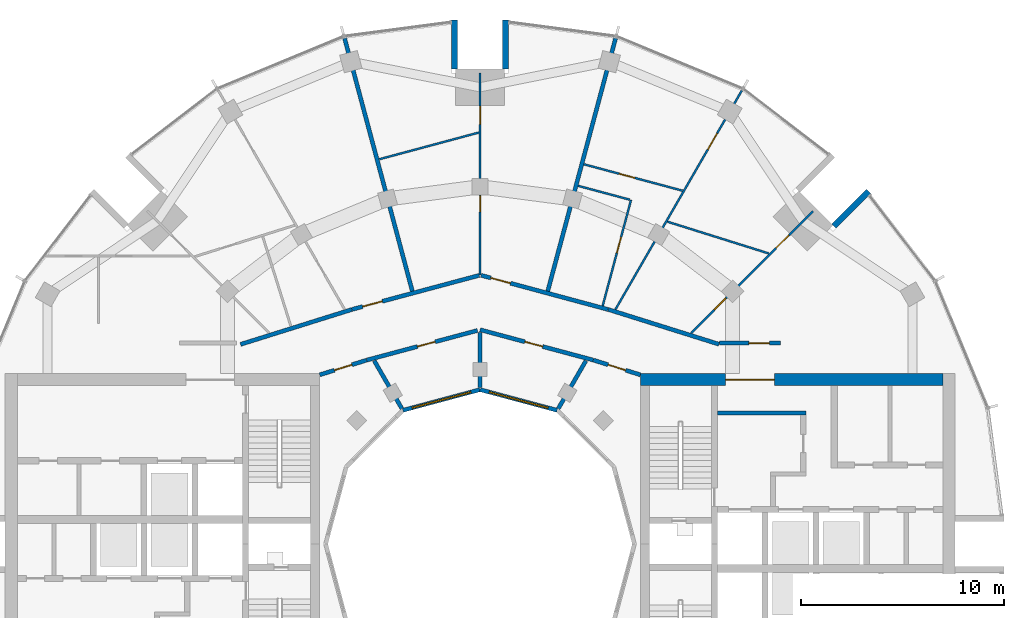
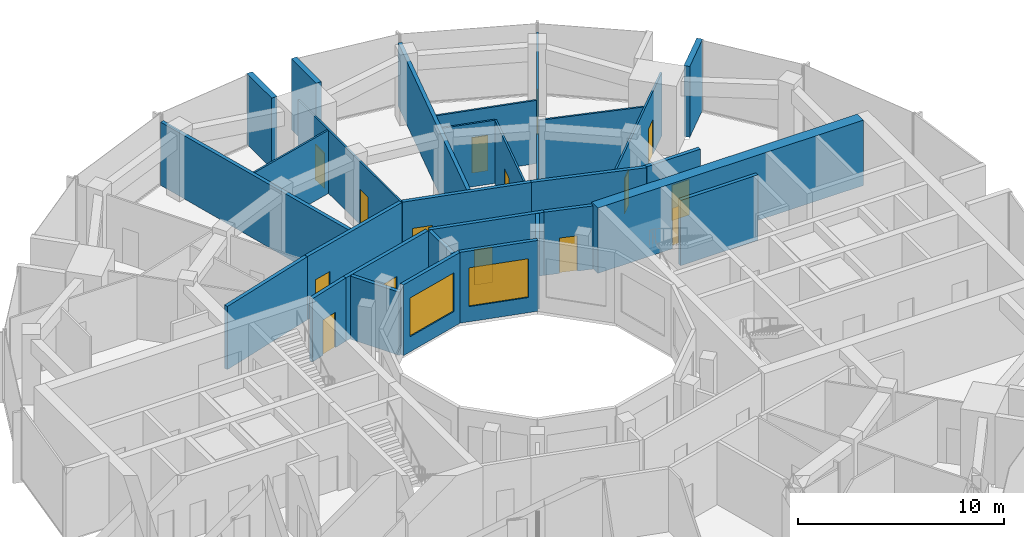
# One storey, part 12 of 15: 29 walls, 15 doors, 2 windows, 17 openings.
"""IFC4 building model written with IfcOpenShell, lengths in metres."""

from ifc_helpers import new_model, si_unit, direction, frame, frame_2d, origin, place, context, subcontext, project, spatial, rectangle, extrude, material, layer, layer_set, type_object, element, fill, save


model = new_model("IFC4")

# Units and contexts
model_context = context("Model", 3, precision=1e-05, world=origin(), true_north=direction((0.0, 1.0)))
body_context = subcontext(model_context, "Body", "Model", "MODEL_VIEW")
ifc_project = project(units=[si_unit("LENGTHUNIT", "METRE"), si_unit("AREAUNIT", "SQUARE_METRE"), si_unit("VOLUMEUNIT", "CUBIC_METRE"), si_unit("PLANEANGLEUNIT", "RADIAN"), si_unit("MASSUNIT", "GRAM", prefix="KILO")], contexts=[model_context])

# Site, building, storey
site_placement = place(None, origin())
site = spatial("IfcSite", under=ifc_project, at=site_placement, CompositionType="ELEMENT")
building_placement = place(site_placement, origin())
building = spatial("IfcBuilding", under=site, at=building_placement, Name="Torre Brocal", CompositionType="ELEMENT")
storey_placement = place(building_placement, frame((0.0, 0.0, 241.5)))
storey = spatial("IfcBuildingStorey", under=building, at=storey_placement, Name="L55", CompositionType="ELEMENT", Elevation=241.5)

# Wall
ifc_material_1 = material(Name="Concrete C60", Category="concrete")
ifc_layer_1 = layer(ifc_material_1, 0.199951171875)
ifc_layer_set_1 = layer_set([ifc_layer_1], Name="Concrete C60")
wall_type_1 = type_object("IfcWallType", Name="CORE WALL 200 C60", PredefinedType="SHEAR", material=ifc_layer_set_1)
wall_1_placement = place(storey_placement, frame((91.699951171875, 81.449951171875, 0.0), z_axis=(0.0, 0.0, 1.0), x_axis=(1.0, 0.0, 0.0)))
element("IfcWall", 1, at=wall_1_placement, inside=storey, type_object=wall_type_1, Name="Wall CW200-60", PredefinedType="SHEAR", context=body_context, shape_type="SweptSolid", body=[
    extrude(rectangle(XDim=4.35009765625, YDim=0.199951171875, at=frame_2d((2.175048828125, 0.0))), origin(), (0.0, 0.0, 1.0), 3.8798828125),
])

# Wall, opening, door
ifc_material_2 = material(Name="Concrete C60", Category="concrete")
ifc_layer_2 = layer(ifc_material_2, 0.60009765625)
ifc_layer_set_2 = layer_set([ifc_layer_2], Name="Concrete C60")
wall_type_2 = type_object("IfcWallType", Name="CORE WALL 600 C60", PredefinedType="SHEAR", material=ifc_layer_set_2)
wall_2_placement = place(storey_placement, frame((87.89990234375, 83.10009765625, 0.0), z_axis=(0.0, 0.0, 1.0), x_axis=(1.0, 0.0, 0.0)))
wall_2 = element("IfcWall", 2, at=wall_2_placement, inside=storey, type_object=wall_type_2, Name="Wall CW600-60", PredefinedType="SHEAR", context=body_context, shape_type="SweptSolid", body=[
    extrude(rectangle(XDim=14.900146484375, YDim=0.60009765625, at=frame_2d((7.4501953125, 0.0))), origin(), (0.0, 0.0, 1.0), 3.8798828125),
])
opening_1_placement = place(wall_2_placement, frame((4.199951171875, 0.0, 0.0)))
opening_1 = element("IfcOpeningElement", 3, at=opening_1_placement, cuts=wall_2, Name="Opening E-D34", PredefinedType="OPENING", context=body_context, shape_type="SweptSolid", body=[
    extrude(rectangle(XDim=2.39990234375, YDim=2.39990234375, at=frame_2d((1.199951171875, 1.199951171875))), frame((0.0, 0.31005859375, 0.0), z_axis=(0.0, -1.0, 0.0), x_axis=(1.0, 0.0, 0.0)), (0.0, 0.0, 1.0), 0.6201171875),
])
ifc_material_3 = material(Name="Steel A653", Category="steel")
door_type_1 = type_object("IfcDoorType", Name="DOUBLE FIRE DOOR FD90 2400X2400", OperationType="DOUBLE_DOOR_SINGLE_SWING", PredefinedType="DOOR", material=ifc_material_3)
door_1_placement = place(opening_1_placement, frame((2.39990234375, 0.0, 0.0), z_axis=(0.0, 0.0, 1.0), x_axis=(-1.0, 0.0, 0.0)))
door_1 = element("IfcDoor", 4, at=door_1_placement, inside=storey, type_object=door_type_1, Name="Door E-D34", OperationType="DOUBLE_DOOR_SINGLE_SWING", OverallHeight=2.39990234375, OverallWidth=2.39990234375, PredefinedType="DOOR", context=body_context, shape_type="SweptSolid", body=[
    extrude(rectangle(XDim=2.39990234375, YDim=2.39990234375, at=frame_2d((1.199951171875, 1.199951171875))), frame((0.0, 0.02490234375, 0.0), z_axis=(0.0, -1.0, 0.0), x_axis=(1.0, 0.0, 0.0)), (0.0, 0.0, 1.0), 0.050048828125),
])
fill(opening_1, door_1)

# Walls
ifc_material_4 = material(Name="Concrete C60", Category="concrete")
ifc_layer_3 = layer(ifc_material_4, 0.300048828125)
ifc_layer_set_3 = layer_set([ifc_layer_3], Name="Concrete C60")
wall_type_3 = type_object("IfcWallType", Name="NOTCH RETURN WALL 300 C60", PredefinedType="NOTDEFINED", material=ifc_layer_set_3)
for number, where, z_axis, x_axis, name in (
    (5, (97.43017578125, 90.662353515625, 0.0), (0.0, 0.0, 1.0), (0.707106781187, 0.707106781187, 0.0), "NOTCH RETURN WALL"),
    (6, (81.25, 98.39990234375, 0.0), (0.0, 0.0, 1.0), (0.0, 1.0, 0.0), "NOTCH RETURN WALL"),
    (7, (78.75, 98.39990234375, 0.0), (0.0, 0.0, 1.0), (0.0, 1.0, 0.0), "NOTCH RETURN WALL"),
):
    element("IfcWall", number, at=place(storey_placement, frame(where, z_axis=z_axis, x_axis=x_axis)), inside=storey, type_object=wall_type_3, Name=name, PredefinedType="NOTDEFINED", context=body_context, shape_type="SweptSolid", body=[
        extrude(rectangle(XDim=2.415771484375, YDim=0.300048828125, at=frame_2d((1.2080078125, 0.0))), origin(), (0.0, 0.0, 1.0), 4.199951171875),
    ])
ifc_material_5 = material(Name="Gypsum board", Category="Gypsum")
ifc_layer_4 = layer(ifc_material_5, 0.10009765625)
ifc_layer_set_4 = layer_set([ifc_layer_4], Name="Gypsum board")
wall_type_4 = type_object("IfcWallType", Name="PARTITION 100", PredefinedType="PARTITIONING", material=ifc_layer_set_4)
wall_3_placement = place(storey_placement, frame((75.03515625, 93.95458984375, 0.0), z_axis=(0.0, 0.0, 1.0), x_axis=(0.965868648254, 0.259032342228, 0.0)))
element("IfcWall", 8, at=wall_3_placement, inside=storey, type_object=wall_type_4, Name="BATHROOM WALL", PredefinedType="PARTITIONING", context=body_context, shape_type="SweptSolid", body=[
    extrude(rectangle(XDim=5.080078125, YDim=0.10009765625, at=frame_2d((2.5400390625, 0.0))), origin(), (0.0, 0.0, 1.0), 3.75),
])

# Wall, openings, doors
wall_4_placement = place(storey_placement, frame((80.0, 88.24609375, 0.0), z_axis=(0.0, 0.0, 1.0), x_axis=(0.0, 1.0, 0.0)))
wall_4 = element("IfcWall", 9, at=wall_4_placement, inside=storey, type_object=wall_type_4, Name="BATHROOM WALL", PredefinedType="PARTITIONING", context=body_context, shape_type="SweptSolid", body=[
    extrude(rectangle(XDim=9.953857421875, YDim=0.10009765625, at=frame_2d((4.97705078125, 0.0))), origin(), (0.0, 0.0, 1.0), 3.75),
])
opening_2_placement = place(wall_4_placement, frame((7.422119140625, 0.0, 0.0)))
opening_2 = element("IfcOpeningElement", 10, at=opening_2_placement, cuts=wall_4, Name="Opening B03-D08", PredefinedType="OPENING", context=body_context, shape_type="SweptSolid", body=[
    extrude(rectangle(XDim=0.89990234375, YDim=2.10009765625, at=frame_2d((0.449951171875, 1.050048828125))), frame((0.0, 0.06005859375, 0.0), z_axis=(0.0, -1.0, 0.0), x_axis=(1.0, 0.0, 0.0)), (0.0, 0.0, 1.0), 0.1201171875),
])
opening_3_placement = place(wall_4_placement, frame((3.1201171875, 0.0, 0.0)))
opening_3 = element("IfcOpeningElement", 11, at=opening_3_placement, cuts=wall_4, Name="Opening B03-D09", PredefinedType="OPENING", context=body_context, shape_type="SweptSolid", body=[
    extrude(rectangle(XDim=0.800048828125, YDim=2.10009765625, at=frame_2d((0.39990234375, 1.050048828125))), frame((0.0, 0.06005859375, 0.0), z_axis=(0.0, -1.0, 0.0), x_axis=(1.0, 0.0, 0.0)), (0.0, 0.0, 1.0), 0.1201171875),
])
ifc_material_6 = material(Name="Timber", Category="wood")
door_type_2 = type_object("IfcDoorType", Name="BATHROOM DOOR 800X2100", OperationType="SINGLE_SWING_LEFT", PredefinedType="DOOR", material=ifc_material_6)
door_2_placement = place(opening_3_placement, origin())
door_2 = element("IfcDoor", 12, at=door_2_placement, inside=storey, type_object=door_type_2, Name="B03-D09", OperationType="SINGLE_SWING_RIGHT", OverallHeight=2.10009765625, OverallWidth=0.800048828125, PredefinedType="DOOR", context=body_context, shape_type="SweptSolid", body=[
    extrude(rectangle(XDim=0.800048828125, YDim=2.10009765625, at=frame_2d((0.39990234375, 1.050048828125))), frame((0.0, 0.02490234375, 0.0), z_axis=(0.0, -1.0, 0.0), x_axis=(1.0, 0.0, 0.0)), (0.0, 0.0, 1.0), 0.050048828125),
])
fill(opening_3, door_2)
ifc_material_7 = material(Name="Timber", Category="wood")
door_type_3 = type_object("IfcDoorType", Name="ROOM DOOR 900X2100", OperationType="SINGLE_SWING_LEFT", PredefinedType="DOOR", material=ifc_material_7)
door_3_placement = place(opening_2_placement, origin())
door_3 = element("IfcDoor", 13, at=door_3_placement, inside=storey, type_object=door_type_3, Name="B03-D08", OperationType="SINGLE_SWING_LEFT", OverallHeight=2.10009765625, OverallWidth=0.89990234375, PredefinedType="DOOR", context=body_context, shape_type="SweptSolid", body=[
    extrude(rectangle(XDim=0.89990234375, YDim=2.10009765625, at=frame_2d((0.449951171875, 1.050048828125))), frame((0.0, 0.02490234375, 0.0), z_axis=(0.0, -1.0, 0.0), x_axis=(1.0, 0.0, 0.0)), (0.0, 0.0, 1.0), 0.050048828125),
])
fill(opening_2, door_3)

# Wall
wall_5_placement = place(storey_placement, frame((84.831298828125, 92.64501953125, 0.0), z_axis=(0.0, 0.0, 1.0), x_axis=(0.965900745566, -0.258912629499, 0.0)))
element("IfcWall", 14, at=wall_5_placement, inside=storey, type_object=wall_type_4, Name="BATHROOM WALL", PredefinedType="PARTITIONING", context=body_context, shape_type="SweptSolid", body=[
    extrude(rectangle(XDim=2.649658203125, YDim=0.10009765625, at=frame_2d((1.32470703125, 0.0))), origin(), (0.0, 0.0, 1.0), 3.75),
])

# Wall, opening, door
wall_6_placement = place(storey_placement, frame((85.115966796875, 93.70703125, 0.0), z_axis=(0.0, 0.0, 1.0), x_axis=(0.965979414561, -0.258618968068, 0.0)))
wall_6 = element("IfcWall", 15, at=wall_6_placement, inside=storey, type_object=wall_type_4, Name="BATHROOM WALL", PredefinedType="PARTITIONING", context=body_context, shape_type="SweptSolid", body=[
    extrude(rectangle(XDim=5.036376953125, YDim=0.10009765625, at=frame_2d((2.51806640625, 0.0))), origin(), (0.0, 0.0, 1.0), 3.75),
])
opening_4_placement = place(wall_6_placement, frame((1.798095703125, 0.0, 0.0)))
opening_4 = element("IfcOpeningElement", 16, at=opening_4_placement, cuts=wall_6, Name="Opening B03-D06", PredefinedType="OPENING", context=body_context, shape_type="SweptSolid", body=[
    extrude(rectangle(XDim=0.800048828125, YDim=2.10009765625, at=frame_2d((0.39990234375, 1.050048828125))), frame((0.0, 0.06005859375, 0.0), z_axis=(0.0, -1.0, 0.0), x_axis=(1.0, 0.0, 0.0)), (0.0, 0.0, 1.0), 0.1201171875),
])
door_4_placement = place(opening_4_placement, origin())
door_4 = element("IfcDoor", 17, at=door_4_placement, inside=storey, type_object=door_type_2, Name="B03-D06", OperationType="SINGLE_SWING_LEFT", OverallHeight=2.10009765625, OverallWidth=0.800048828125, PredefinedType="DOOR", context=body_context, shape_type="SweptSolid", body=[
    extrude(rectangle(XDim=0.800048828125, YDim=2.10009765625, at=frame_2d((0.39990234375, 1.050048828125))), frame((0.0, 0.02490234375, 0.0), z_axis=(0.0, -1.0, 0.0), x_axis=(1.0, 0.0, 0.0)), (0.0, 0.0, 1.0), 0.050048828125),
])
fill(opening_4, door_4)

wall_7_placement = place(storey_placement, frame((86.0419921875, 86.730712890625, 0.0), z_axis=(0.0, 0.0, 1.0), x_axis=(0.258737592043, 0.96594764789, 0.0)))
wall_7 = element("IfcWall", 18, at=wall_7_placement, inside=storey, type_object=wall_type_4, Name="BATHROOM WALL", PredefinedType="PARTITIONING", context=body_context, shape_type="SweptSolid", body=[
    extrude(rectangle(XDim=5.399169921875, YDim=0.10009765625, at=frame_2d((2.69970703125, 0.0))), origin(), (0.0, 0.0, 1.0), 3.75),
])
opening_5_placement = place(wall_7_placement, frame((2.69970703125, 0.0, 0.0)))
opening_5 = element("IfcOpeningElement", 19, at=opening_5_placement, cuts=wall_7, Name="Opening B03-D05", PredefinedType="OPENING", context=body_context, shape_type="SweptSolid", body=[
    extrude(rectangle(XDim=0.800048828125, YDim=2.10009765625, at=frame_2d((0.39990234375, 1.050048828125))), frame((0.0, 0.06005859375, 0.0), z_axis=(0.0, -1.0, 0.0), x_axis=(1.0, 0.0, 0.0)), (0.0, 0.0, 1.0), 0.1201171875),
])
door_5_placement = place(opening_5_placement, origin())
door_5 = element("IfcDoor", 20, at=door_5_placement, inside=storey, type_object=door_type_2, Name="B03-D05", OperationType="SINGLE_SWING_RIGHT", OverallHeight=2.10009765625, OverallWidth=0.800048828125, PredefinedType="DOOR", context=body_context, shape_type="SweptSolid", body=[
    extrude(rectangle(XDim=0.800048828125, YDim=2.10009765625, at=frame_2d((0.39990234375, 1.050048828125))), frame((0.0, 0.02490234375, 0.0), z_axis=(0.0, -1.0, 0.0), x_axis=(1.0, 0.0, 0.0)), (0.0, 0.0, 1.0), 0.050048828125),
])
fill(opening_5, door_5)

wall_8_placement = place(storey_placement, frame((86.670654296875, 86.554443359375, 0.0), z_axis=(0.0, 0.0, 1.0), x_axis=(0.500104188531, 0.865965242151, 0.0)))
wall_8 = element("IfcWall", 21, at=wall_8_placement, inside=storey, type_object=wall_type_4, Name="BATHROOM WALL", PredefinedType="PARTITIONING", context=body_context, shape_type="SweptSolid", body=[
    extrude(rectangle(XDim=12.455810546875, YDim=0.10009765625, at=frame_2d((6.22802734375, 0.0))), origin(), (0.0, 0.0, 1.0), 3.75),
])
opening_6_placement = place(wall_8_placement, frame((9.111328125, 0.0, 0.0)))
opening_6 = element("IfcOpeningElement", 22, at=opening_6_placement, cuts=wall_8, Name="Opening B03-D04", PredefinedType="OPENING", context=body_context, shape_type="SweptSolid", body=[
    extrude(rectangle(XDim=0.89990234375, YDim=2.10009765625, at=frame_2d((0.449951171875, 1.050048828125))), frame((0.0, 0.06005859375, 0.0), z_axis=(0.0, -1.0, 0.0), x_axis=(1.0, 0.0, 0.0)), (0.0, 0.0, 1.0), 0.1201171875),
])
door_6_placement = place(opening_6_placement, frame((0.89990234375, 0.0, 0.0), z_axis=(0.0, 0.0, 1.0), x_axis=(-1.0, 0.0, 0.0)))
door_6 = element("IfcDoor", 23, at=door_6_placement, inside=storey, type_object=door_type_3, Name="B03-D04", OperationType="SINGLE_SWING_LEFT", OverallHeight=2.10009765625, OverallWidth=0.89990234375, PredefinedType="DOOR", context=body_context, shape_type="SweptSolid", body=[
    extrude(rectangle(XDim=0.89990234375, YDim=2.10009765625, at=frame_2d((0.449951171875, 1.050048828125))), frame((0.0, 0.02490234375, 0.0), z_axis=(0.0, -1.0, 0.0), x_axis=(1.0, 0.0, 0.0)), (0.0, 0.0, 1.0), 0.050048828125),
])
fill(opening_6, door_6)

# Wall
wall_9_placement = place(storey_placement, frame((89.2353515625, 90.8779296875, 0.0), z_axis=(0.0, 0.0, 1.0), x_axis=(0.954193795587, -0.299189238548, 0.0)))
element("IfcWall", 24, at=wall_9_placement, inside=storey, type_object=wall_type_4, Name="BATHROOM WALL", PredefinedType="PARTITIONING", context=body_context, shape_type="SweptSolid", body=[
    extrude(rectangle(XDim=5.229736328125, YDim=0.10009765625, at=frame_2d((2.61474609375, 0.0))), origin(), (0.0, 0.0, 1.0), 3.75),
])

# Wall, openings, doors
wall_10_placement = place(storey_placement, frame((90.396484375, 85.393310546875, 0.0), z_axis=(0.0, 0.0, 1.0), x_axis=(0.707279106146, 0.706934414221, 0.0)))
wall_10 = element("IfcWall", 25, at=wall_10_placement, inside=storey, type_object=wall_type_4, Name="BATHROOM WALL", PredefinedType="PARTITIONING", context=body_context, shape_type="SweptSolid", body=[
    extrude(rectangle(XDim=8.49951171875, YDim=0.10009765625, at=frame_2d((4.249755859375, 0.0))), origin(), (0.0, 0.0, 1.0), 3.75),
])
opening_7_placement = place(wall_10_placement, frame((5.9189453125, 0.0, 0.0)))
opening_7 = element("IfcOpeningElement", 26, at=opening_7_placement, cuts=wall_10, Name="Opening B03-D02", PredefinedType="OPENING", context=body_context, shape_type="SweptSolid", body=[
    extrude(rectangle(XDim=0.89990234375, YDim=2.10009765625, at=frame_2d((0.449951171875, 1.050048828125))), frame((0.0, 0.06005859375, 0.0), z_axis=(0.0, -1.0, 0.0), x_axis=(1.0, 0.0, 0.0)), (0.0, 0.0, 1.0), 0.1201171875),
])
opening_8_placement = place(wall_10_placement, frame((1.6171875, 0.0, 0.0)))
opening_8 = element("IfcOpeningElement", 27, at=opening_8_placement, cuts=wall_10, Name="Opening B03-D03", PredefinedType="OPENING", context=body_context, shape_type="SweptSolid", body=[
    extrude(rectangle(XDim=0.800048828125, YDim=2.10009765625, at=frame_2d((0.39990234375, 1.050048828125))), frame((0.0, 0.06005859375, 0.0), z_axis=(0.0, -1.0, 0.0), x_axis=(1.0, 0.0, 0.0)), (0.0, 0.0, 1.0), 0.1201171875),
])
door_7_placement = place(opening_8_placement, origin())
door_7 = element("IfcDoor", 28, at=door_7_placement, inside=storey, type_object=door_type_2, Name="B03-D03", OperationType="SINGLE_SWING_LEFT", OverallHeight=2.10009765625, OverallWidth=0.800048828125, PredefinedType="DOOR", context=body_context, shape_type="SweptSolid", body=[
    extrude(rectangle(XDim=0.800048828125, YDim=2.10009765625, at=frame_2d((0.39990234375, 1.050048828125))), frame((0.0, 0.02490234375, 0.0), z_axis=(0.0, -1.0, 0.0), x_axis=(1.0, 0.0, 0.0)), (0.0, 0.0, 1.0), 0.050048828125),
])
fill(opening_8, door_7)
door_8_placement = place(opening_7_placement, frame((0.89990234375, 0.0, 0.0), z_axis=(0.0, 0.0, 1.0), x_axis=(-1.0, 0.0, 0.0)))
door_8 = element("IfcDoor", 29, at=door_8_placement, inside=storey, type_object=door_type_3, Name="B03-D02", OperationType="SINGLE_SWING_LEFT", OverallHeight=2.10009765625, OverallWidth=0.89990234375, PredefinedType="DOOR", context=body_context, shape_type="SweptSolid", body=[
    extrude(rectangle(XDim=0.89990234375, YDim=2.10009765625, at=frame_2d((0.449951171875, 1.050048828125))), frame((0.0, 0.02490234375, 0.0), z_axis=(0.0, -1.0, 0.0), x_axis=(1.0, 0.0, 0.0)), (0.0, 0.0, 1.0), 0.050048828125),
])
fill(opening_7, door_8)

# Wall
ifc_material_8 = material(Name="Gypsum board", Category="Gypsum")
ifc_layer_5 = layer(ifc_material_8, 0.199951171875)
ifc_layer_set_5 = layer_set([ifc_layer_5], Name="Gypsum board")
wall_type_5 = type_object("IfcWallType", Name="PARTITION 200 EI60", PredefinedType="PARTITIONING", material=ifc_layer_set_5)
wall_11_placement = place(storey_placement, frame((68.19970703125, 84.833984375, 0.0), z_axis=(0.0, 0.0, 1.0), x_axis=(0.954272398161, 0.298938438661, 0.0)))
element("IfcWall", 30, at=wall_11_placement, inside=storey, type_object=wall_type_5, Name="FLAT ENTRANCE WALL", PredefinedType="PARTITIONING", context=body_context, shape_type="SweptSolid", body=[
    extrude(rectangle(XDim=5.740478515625, YDim=0.199951171875, at=frame_2d((2.8701171875, 0.0))), origin(), (0.0, 0.0, 1.0), 3.75),
])

# Wall, opening, door
wall_12_placement = place(storey_placement, frame((72.10009765625, 83.33203125, 0.0), z_axis=(0.0, 0.0, 1.0), x_axis=(0.954233106619, 0.299063836383, 0.0)))
wall_12 = element("IfcWall", 31, at=wall_12_placement, inside=storey, type_object=wall_type_5, Name="CORRIDOR WALL", PredefinedType="PARTITIONING", context=body_context, shape_type="SweptSolid", body=[
    extrude(rectangle(XDim=2.4140625, YDim=0.199951171875, at=frame_2d((1.20703125, 0.0))), origin(), (0.0, 0.0, 1.0), 3.75),
])
opening_9_placement = place(wall_12_placement, frame((0.761962890625, 0.0, 0.0)))
opening_9 = element("IfcOpeningElement", 32, at=opening_9_placement, cuts=wall_12, Name="Opening B03-D20", PredefinedType="OPENING", context=body_context, shape_type="SweptSolid", body=[
    extrude(rectangle(XDim=0.89990234375, YDim=2.10009765625, at=frame_2d((0.449951171875, 1.050048828125))), frame((0.0, 0.10986328125, 0.0), z_axis=(0.0, -1.0, 0.0), x_axis=(1.0, 0.0, 0.0)), (0.0, 0.0, 1.0), 0.219970703125),
])
door_9_placement = place(opening_9_placement, frame((0.89990234375, 0.0, 0.0), z_axis=(0.0, 0.0, 1.0), x_axis=(-1.0, 0.0, 0.0)))
door_9 = element("IfcDoor", 33, at=door_9_placement, inside=storey, type_object=door_type_3, Name="B03-D20", OperationType="SINGLE_SWING_RIGHT", OverallHeight=2.10009765625, OverallWidth=0.89990234375, PredefinedType="DOOR", context=body_context, shape_type="SweptSolid", body=[
    extrude(rectangle(XDim=0.89990234375, YDim=2.10009765625, at=frame_2d((0.449951171875, 1.050048828125))), frame((0.0, 0.02490234375, 0.0), z_axis=(0.0, -1.0, 0.0), x_axis=(1.0, 0.0, 0.0)), (0.0, 0.0, 1.0), 0.050048828125),
])
fill(opening_9, door_9)

# Wall
wall_13_placement = place(storey_placement, frame((73.324951171875, 99.919921875, 0.0), z_axis=(0.0, 0.0, 1.0), x_axis=(0.258745857482, -0.965945433881, 0.0)))
element("IfcWall", 34, at=wall_13_placement, inside=storey, type_object=wall_type_5, Name="BATHROOM WALL", PredefinedType="PARTITIONING", context=body_context, shape_type="SweptSolid", body=[
    extrude(rectangle(XDim=12.904052734375, YDim=0.199951171875, at=frame_2d((6.4521484375, 0.0))), origin(), (0.0, 0.0, 1.0), 3.75),
])

# Wall, opening, door
wall_14_placement = place(storey_placement, frame((73.68701171875, 86.55419921875, 0.0), z_axis=(0.0, 0.0, 1.0), x_axis=(0.96595928904, 0.258694128106, 0.0)))
wall_14 = element("IfcWall", 35, at=wall_14_placement, inside=storey, type_object=wall_type_5, Name="FLAT ENTRANCE WALL", PredefinedType="PARTITIONING", context=body_context, shape_type="SweptSolid", body=[
    extrude(rectangle(XDim=6.495849609375, YDim=0.199951171875, at=frame_2d((3.248046875, 0.0))), origin(), (0.0, 0.0, 1.0), 3.75),
])
opening_10_placement = place(wall_14_placement, frame((0.550048828125, 0.0, 0.0)))
opening_10 = element("IfcOpeningElement", 36, at=opening_10_placement, cuts=wall_14, Name="Opening B03-D10", PredefinedType="OPENING", context=body_context, shape_type="SweptSolid", body=[
    extrude(rectangle(XDim=1.0, YDim=2.10009765625, at=frame_2d((0.5, 1.050048828125))), frame((0.0, 0.10986328125, 0.0), z_axis=(0.0, -1.0, 0.0), x_axis=(1.0, 0.0, 0.0)), (0.0, 0.0, 1.0), 0.219970703125),
])
ifc_material_9 = material(Name="Timber", Category="wood")
door_type_4 = type_object("IfcDoorType", Name="FLAT ENTRY DOOR FD30S 1000X2100", OperationType="SINGLE_SWING_RIGHT", PredefinedType="DOOR", material=ifc_material_9)
door_10_placement = place(opening_10_placement, origin())
door_10 = element("IfcDoor", 37, at=door_10_placement, inside=storey, type_object=door_type_4, Name="B03-D10", OperationType="SINGLE_SWING_LEFT", OverallHeight=2.10009765625, OverallWidth=1.0, PredefinedType="DOOR", context=body_context, shape_type="SweptSolid", body=[
    extrude(rectangle(XDim=1.0, YDim=2.10009765625, at=frame_2d((0.5, 1.050048828125))), frame((0.0, 0.02490234375, 0.0), z_axis=(0.0, -1.0, 0.0), x_axis=(1.0, 0.0, 0.0)), (0.0, 0.0, 1.0), 0.050048828125),
])
fill(opening_10, door_10)

wall_15_placement = place(storey_placement, frame((74.4130859375, 84.056884765625, 0.0), z_axis=(0.0, 0.0, 1.0), x_axis=(0.965972135939, 0.258646153246, 0.0)))
wall_15 = element("IfcWall", 38, at=wall_15_placement, inside=storey, type_object=wall_type_5, Name="CORRIDOR WALL", PredefinedType="PARTITIONING", context=body_context, shape_type="SweptSolid", body=[
    extrude(rectangle(XDim=5.654052734375, YDim=0.199951171875, at=frame_2d((2.8271484375, 0.0))), origin(), (0.0, 0.0, 1.0), 3.75),
])
opening_11_placement = place(wall_15_placement, frame((2.5927734375, 0.0, 0.0)))
opening_11 = element("IfcOpeningElement", 39, at=opening_11_placement, cuts=wall_15, Name="Opening B03-D19", PredefinedType="OPENING", context=body_context, shape_type="SweptSolid", body=[
    extrude(rectangle(XDim=0.89990234375, YDim=2.10009765625, at=frame_2d((0.449951171875, 1.050048828125))), frame((0.0, 0.10986328125, 0.0), z_axis=(0.0, -1.0, 0.0), x_axis=(1.0, 0.0, 0.0)), (0.0, 0.0, 1.0), 0.219970703125),
])
door_11_placement = place(opening_11_placement, frame((0.89990234375, 0.0, 0.0), z_axis=(0.0, 0.0, 1.0), x_axis=(-1.0, 0.0, 0.0)))
door_11 = element("IfcDoor", 40, at=door_11_placement, inside=storey, type_object=door_type_3, Name="B03-D19", OperationType="SINGLE_SWING_RIGHT", OverallHeight=2.10009765625, OverallWidth=0.89990234375, PredefinedType="DOOR", context=body_context, shape_type="SweptSolid", body=[
    extrude(rectangle(XDim=0.89990234375, YDim=2.10009765625, at=frame_2d((0.449951171875, 1.050048828125))), frame((0.0, 0.02490234375, 0.0), z_axis=(0.0, -1.0, 0.0), x_axis=(1.0, 0.0, 0.0)), (0.0, 0.0, 1.0), 0.050048828125),
])
fill(opening_11, door_11)

# Walls
wall_16_placement = place(storey_placement, frame((74.787353515625, 84.027099609375, 0.0), z_axis=(0.0, 0.0, 1.0), x_axis=(0.500079107518, -0.86597972622, 0.0)))
element("IfcWall", 41, at=wall_16_placement, inside=storey, type_object=wall_type_5, Name="SERVICE ROOM WALL", PredefinedType="PARTITIONING", context=body_context, shape_type="SweptSolid", body=[
    extrude(rectangle(XDim=2.7255859375, YDim=0.199951171875, at=frame_2d((1.36279296875, 0.0))), origin(), (0.0, 0.0, 1.0), 3.75),
])
wall_17_placement = place(storey_placement, frame((80.0, 82.698974609375, 0.0), z_axis=(0.0, 0.0, 1.0), x_axis=(0.0, 1.0, 0.0)))
element("IfcWall", 42, at=wall_17_placement, inside=storey, type_object=wall_type_5, Name="SERVICE ROOM WALL", PredefinedType="PARTITIONING", context=body_context, shape_type="SweptSolid", body=[
    extrude(rectangle(XDim=2.72509765625, YDim=0.199951171875, at=frame_2d((1.362548828125, 0.0))), origin(), (0.0, 0.0, 1.0), 3.75),
])

# Wall, opening, door
wall_18_placement = place(storey_placement, frame((80.0, 85.553955078125, 0.0), z_axis=(0.0, 0.0, 1.0), x_axis=(0.965928989968, -0.258807237802, 0.0)))
wall_18 = element("IfcWall", 43, at=wall_18_placement, inside=storey, type_object=wall_type_5, Name="CORRIDOR WALL", PredefinedType="PARTITIONING", context=body_context, shape_type="SweptSolid", body=[
    extrude(rectangle(XDim=5.774169921875, YDim=0.199951171875, at=frame_2d((2.88720703125, 0.0))), origin(), (0.0, 0.0, 1.0), 3.75),
])
opening_12_placement = place(wall_18_placement, frame((2.29150390625, 0.0, 0.0)))
opening_12 = element("IfcOpeningElement", 44, at=opening_12_placement, cuts=wall_18, Name="Opening B03-D18", PredefinedType="OPENING", context=body_context, shape_type="SweptSolid", body=[
    extrude(rectangle(XDim=0.89990234375, YDim=2.10009765625, at=frame_2d((0.449951171875, 1.050048828125))), frame((0.0, 0.10986328125, 0.0), z_axis=(0.0, -1.0, 0.0), x_axis=(1.0, 0.0, 0.0)), (0.0, 0.0, 1.0), 0.219970703125),
])
door_12_placement = place(opening_12_placement, frame((0.89990234375, 0.0, 0.0), z_axis=(0.0, 0.0, 1.0), x_axis=(-1.0, 0.0, 0.0)))
door_12 = element("IfcDoor", 45, at=door_12_placement, inside=storey, type_object=door_type_3, Name="B03-D18", OperationType="SINGLE_SWING_LEFT", OverallHeight=2.10009765625, OverallWidth=0.89990234375, PredefinedType="DOOR", context=body_context, shape_type="SweptSolid", body=[
    extrude(rectangle(XDim=0.89990234375, YDim=2.10009765625, at=frame_2d((0.449951171875, 1.050048828125))), frame((0.0, 0.02490234375, 0.0), z_axis=(0.0, -1.0, 0.0), x_axis=(1.0, 0.0, 0.0)), (0.0, 0.0, 1.0), 0.050048828125),
])
fill(opening_12, door_12)

wall_19_placement = place(storey_placement, frame((80.04931640625, 88.237060546875, 0.0), z_axis=(0.0, 0.0, 1.0), x_axis=(0.965582990495, -0.260095152718, 0.0)))
wall_19 = element("IfcWall", 46, at=wall_19_placement, inside=storey, type_object=wall_type_5, Name="FLAT ENTRANCE WALL", PredefinedType="PARTITIONING", context=body_context, shape_type="SweptSolid", body=[
    extrude(rectangle(XDim=6.475830078125, YDim=0.199951171875, at=frame_2d((3.23779296875, 0.0))), origin(), (0.0, 0.0, 1.0), 3.75),
])
opening_13_placement = place(wall_19_placement, frame((0.5, 0.0, 0.0)))
opening_13 = element("IfcOpeningElement", 47, at=opening_13_placement, cuts=wall_19, Name="Opening B03-D07", PredefinedType="OPENING", context=body_context, shape_type="SweptSolid", body=[
    extrude(rectangle(XDim=1.0, YDim=2.10009765625, at=frame_2d((0.5, 1.050048828125))), frame((0.0, 0.10986328125, 0.0), z_axis=(0.0, -1.0, 0.0), x_axis=(1.0, 0.0, 0.0)), (0.0, 0.0, 1.0), 0.219970703125),
])
door_13_placement = place(opening_13_placement, origin())
door_13 = element("IfcDoor", 48, at=door_13_placement, inside=storey, type_object=door_type_4, Name="B03-D07", OperationType="SINGLE_SWING_LEFT", OverallHeight=2.10009765625, OverallWidth=1.0, PredefinedType="DOOR", context=body_context, shape_type="SweptSolid", body=[
    extrude(rectangle(XDim=1.0, YDim=2.10009765625, at=frame_2d((0.5, 1.050048828125))), frame((0.0, 0.02490234375, 0.0), z_axis=(0.0, -1.0, 0.0), x_axis=(1.0, 0.0, 0.0)), (0.0, 0.0, 1.0), 0.050048828125),
])
fill(opening_13, door_13)

# Walls
wall_20_placement = place(storey_placement, frame((83.335205078125, 87.45556640625, 0.0), z_axis=(0.0, 0.0, 1.0), x_axis=(0.259184958139, 0.965827705895, 0.0)))
element("IfcWall", 49, at=wall_20_placement, inside=storey, type_object=wall_type_5, Name="BATHROOM WALL", PredefinedType="PARTITIONING", context=body_context, shape_type="SweptSolid", body=[
    extrude(rectangle(XDim=12.90380859375, YDim=0.199951171875, at=frame_2d((6.451904296875, 0.0))), origin(), (0.0, 0.0, 1.0), 3.75),
])
wall_21_placement = place(storey_placement, frame((83.85205078125, 81.665283203125, 0.0), z_axis=(0.0, 0.0, 1.0), x_axis=(0.500185068774, 0.865918527909, 0.0)))
element("IfcWall", 50, at=wall_21_placement, inside=storey, type_object=wall_type_5, Name="PARTY PARTITION", PredefinedType="PARTITIONING", context=body_context, shape_type="SweptSolid", body=[
    extrude(rectangle(XDim=2.7255859375, YDim=0.199951171875, at=frame_2d((1.36279296875, 0.0))), origin(), (0.0, 0.0, 1.0), 3.75),
])

# Wall, opening, door
wall_22_placement = place(storey_placement, frame((85.5869140625, 84.056884765625, 0.0), z_axis=(0.0, 0.0, 1.0), x_axis=(0.954239513179, -0.299043393987, 0.0)))
wall_22 = element("IfcWall", 51, at=wall_22_placement, inside=storey, type_object=wall_type_5, Name="CORRIDOR WALL", PredefinedType="PARTITIONING", context=body_context, shape_type="SweptSolid", body=[
    extrude(rectangle(XDim=2.423828125, YDim=0.199951171875, at=frame_2d((1.2119140625, 0.0))), origin(), (0.0, 0.0, 1.0), 3.75),
])
opening_14_placement = place(wall_22_placement, frame((0.761962890625, 0.0, 0.0)))
opening_14 = element("IfcOpeningElement", 52, at=opening_14_placement, cuts=wall_22, Name="Opening B03-D17", PredefinedType="OPENING", context=body_context, shape_type="SweptSolid", body=[
    extrude(rectangle(XDim=0.89990234375, YDim=2.10009765625, at=frame_2d((0.449951171875, 1.050048828125))), frame((0.0, 0.10986328125, 0.0), z_axis=(0.0, -1.0, 0.0), x_axis=(1.0, 0.0, 0.0)), (0.0, 0.0, 1.0), 0.219970703125),
])
door_14_placement = place(opening_14_placement, frame((0.89990234375, 0.0, 0.0), z_axis=(0.0, 0.0, 1.0), x_axis=(-1.0, 0.0, 0.0)))
door_14 = element("IfcDoor", 53, at=door_14_placement, inside=storey, type_object=door_type_3, Name="B03-D17", OperationType="SINGLE_SWING_LEFT", OverallHeight=2.10009765625, OverallWidth=0.89990234375, PredefinedType="DOOR", context=body_context, shape_type="SweptSolid", body=[
    extrude(rectangle(XDim=0.89990234375, YDim=2.10009765625, at=frame_2d((0.449951171875, 1.050048828125))), frame((0.0, 0.02490234375, 0.0), z_axis=(0.0, -1.0, 0.0), x_axis=(1.0, 0.0, 0.0)), (0.0, 0.0, 1.0), 0.050048828125),
])
fill(opening_14, door_14)

# Wall
wall_23_placement = place(storey_placement, frame((86.31298828125, 86.554443359375, 0.0), z_axis=(0.0, 0.0, 1.0), x_axis=(0.954081217458, -0.299548043717, 0.0)))
element("IfcWall", 54, at=wall_23_placement, inside=storey, type_object=wall_type_5, Name="FLAT ENTRANCE WALL", PredefinedType="PARTITIONING", context=body_context, shape_type="SweptSolid", body=[
    extrude(rectangle(XDim=5.720703125, YDim=0.199951171875, at=frame_2d((2.8603515625, 0.0))), origin(), (0.0, 0.0, 1.0), 3.75),
])

# Wall, opening, door
wall_24_placement = place(storey_placement, frame((91.800048828125, 84.89990234375, 0.0), z_axis=(0.0, 0.0, 1.0), x_axis=(1.0, 0.0, 0.0)))
wall_24 = element("IfcWall", 55, at=wall_24_placement, inside=storey, type_object=wall_type_5, Name="FLAT ENTRANCE WALL", PredefinedType="PARTITIONING", context=body_context, shape_type="SweptSolid", body=[
    extrude(rectangle(XDim=3.0, YDim=0.199951171875, at=frame_2d((1.5, 0.0))), origin(), (0.0, 0.0, 1.0), 3.75),
])
opening_15_placement = place(wall_24_placement, frame((1.449951171875, 0.0, 0.0)))
opening_15 = element("IfcOpeningElement", 56, at=opening_15_placement, cuts=wall_24, Name="Opening B03-D01", PredefinedType="OPENING", context=body_context, shape_type="SweptSolid", body=[
    extrude(rectangle(XDim=1.0, YDim=2.10009765625, at=frame_2d((0.5, 1.050048828125))), frame((0.0, 0.10986328125, 0.0), z_axis=(0.0, -1.0, 0.0), x_axis=(1.0, 0.0, 0.0)), (0.0, 0.0, 1.0), 0.219970703125),
])
door_15_placement = place(opening_15_placement, origin())
door_15 = element("IfcDoor", 57, at=door_15_placement, inside=storey, type_object=door_type_4, Name="B03-D01", OperationType="SINGLE_SWING_LEFT", OverallHeight=2.10009765625, OverallWidth=1.0, PredefinedType="DOOR", context=body_context, shape_type="SweptSolid", body=[
    extrude(rectangle(XDim=1.0, YDim=2.10009765625, at=frame_2d((0.5, 1.050048828125))), frame((0.0, 0.02490234375, 0.0), z_axis=(0.0, -1.0, 0.0), x_axis=(1.0, 0.0, 0.0)), (0.0, 0.0, 1.0), 0.050048828125),
])
fill(opening_15, door_15)

# Wall, opening, window
ifc_material_10 = material(Name="Concrete C40", Category="concrete")
ifc_layer_6 = layer(ifc_material_10, 0.199951171875)
ifc_layer_set_6 = layer_set([ifc_layer_6], Name="Concrete C40")
wall_type_6 = type_object("IfcWallType", Name="WELL FACADE WALL 200", PredefinedType="NOTDEFINED", material=ifc_layer_set_6)
wall_25_placement = place(storey_placement, frame((83.8017578125, 81.5849609375, 0.0), z_axis=(0.0, 0.0, 1.0), x_axis=(-0.965933654434, 0.258789828301, 0.0)))
wall_25 = element("IfcWall", 58, at=wall_25_placement, inside=storey, type_object=wall_type_6, Name="WELL FACADE WALL", PredefinedType="NOTDEFINED", context=body_context, shape_type="SweptSolid", body=[
    extrude(rectangle(XDim=3.935791015625, YDim=0.199951171875, at=frame_2d((1.9677734375, 0.0))), origin(), (0.0, 0.0, 1.0), 4.199951171875),
])
opening_16_placement = place(wall_25_placement, frame((0.468017578125, 0.0, 0.89990234375)))
opening_16 = element("IfcOpeningElement", 59, at=opening_16_placement, cuts=wall_25, Name="Opening W1", PredefinedType="OPENING", context=body_context, shape_type="SweptSolid", body=[
    extrude(rectangle(XDim=3.0, YDim=2.300048828125, at=frame_2d((1.5, 1.14990234375))), frame((0.0, 0.10986328125, 0.0), z_axis=(0.0, -1.0, 0.0), x_axis=(1.0, 0.0, 0.0)), (0.0, 0.0, 1.0), 0.219970703125),
])
ifc_material_11 = material(Name="Aluminium and glass", Category="aluminium")
window_type = type_object("IfcWindowType", Name="WELL WINDOW 3000X2300", PartitioningType="SINGLE_PANEL", PredefinedType="WINDOW", material=ifc_material_11)
window_1_placement = place(opening_16_placement, origin())
window_1 = element("IfcWindow", 60, at=window_1_placement, inside=storey, type_object=window_type, Name="WELL WINDOW 3000X2300", OverallHeight=2.300048828125, OverallWidth=3.0, PartitioningType="SINGLE_PANEL", PredefinedType="WINDOW", context=body_context, shape_type="SweptSolid", body=[
    extrude(rectangle(XDim=3.0, YDim=2.300048828125, at=frame_2d((1.5, 1.14990234375))), frame((0.0, 0.030029296875, 0.0), z_axis=(0.0, -1.0, 0.0), x_axis=(1.0, 0.0, 0.0)), (0.0, 0.0, 1.0), 0.06005859375),
])
fill(opening_16, window_1)

wall_26_placement = place(storey_placement, frame((80.0, 82.603515625, 0.0), z_axis=(0.0, 0.0, 1.0), x_axis=(-0.965933654434, -0.258789828301, 0.0)))
wall_26 = element("IfcWall", 61, at=wall_26_placement, inside=storey, type_object=wall_type_6, Name="WELL FACADE WALL", PredefinedType="NOTDEFINED", context=body_context, shape_type="SweptSolid", body=[
    extrude(rectangle(XDim=3.935791015625, YDim=0.199951171875, at=frame_2d((1.9677734375, 0.0))), origin(), (0.0, 0.0, 1.0), 4.199951171875),
])
opening_17_placement = place(wall_26_placement, frame((0.468017578125, 0.0, 0.89990234375)))
opening_17 = element("IfcOpeningElement", 62, at=opening_17_placement, cuts=wall_26, Name="Opening W1", PredefinedType="OPENING", context=body_context, shape_type="SweptSolid", body=[
    extrude(rectangle(XDim=3.0, YDim=2.300048828125, at=frame_2d((1.5, 1.14990234375))), frame((0.0, 0.10986328125, 0.0), z_axis=(0.0, -1.0, 0.0), x_axis=(1.0, 0.0, 0.0)), (0.0, 0.0, 1.0), 0.219970703125),
])
window_2_placement = place(opening_17_placement, origin())
window_2 = element("IfcWindow", 63, at=window_2_placement, inside=storey, type_object=window_type, Name="WELL WINDOW 3000X2300", OverallHeight=2.300048828125, OverallWidth=3.0, PartitioningType="SINGLE_PANEL", PredefinedType="WINDOW", context=body_context, shape_type="SweptSolid", body=[
    extrude(rectangle(XDim=3.0, YDim=2.300048828125, at=frame_2d((1.5, 1.14990234375))), frame((0.0, 0.030029296875, 0.0), z_axis=(0.0, -1.0, 0.0), x_axis=(1.0, 0.0, 0.0)), (0.0, 0.0, 1.0), 0.06005859375),
])
fill(opening_17, window_2)

save(model, "model.ifc")
